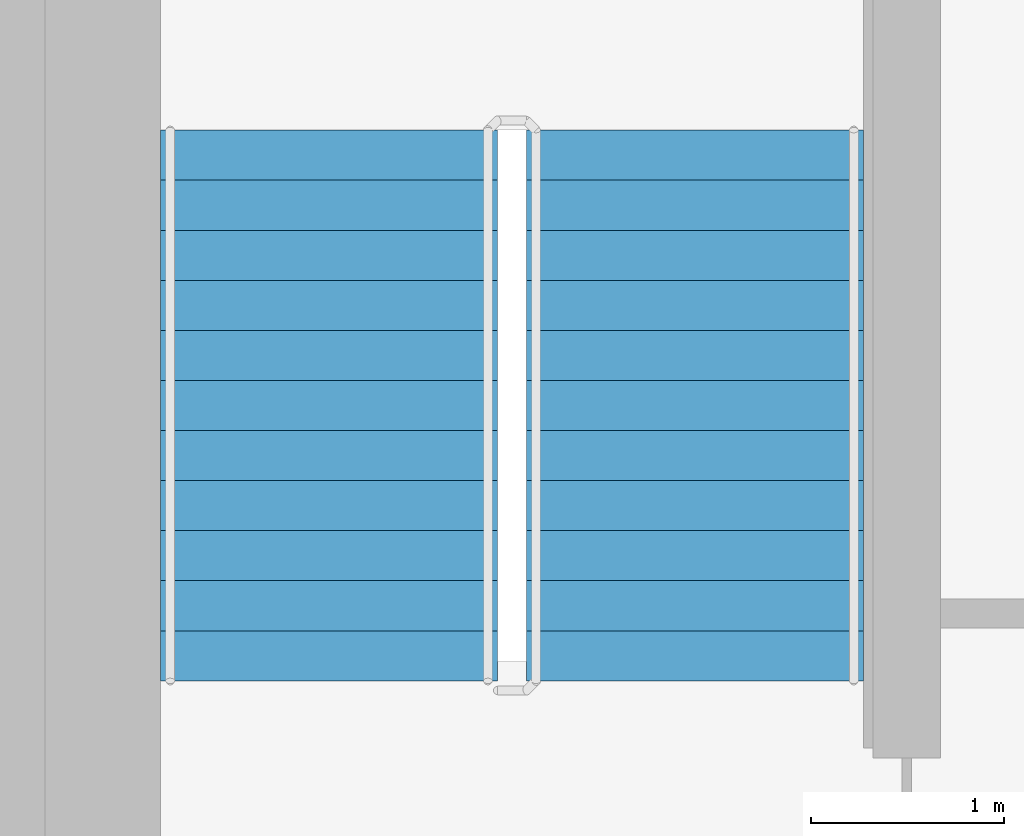
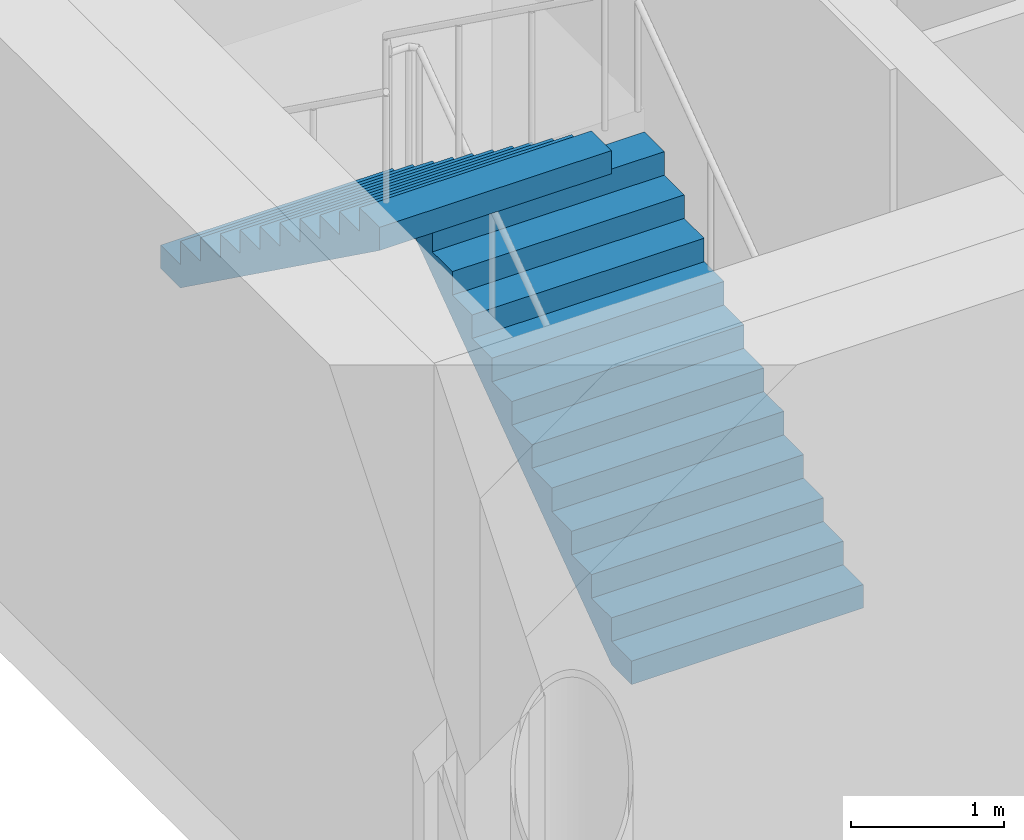
# One storey, part 10 of 11: 2 stair flights, 1 element without a shape of its own.
"""IFC4 building model written with IfcOpenShell, lengths in metres."""

import ifcopenshell
import ifcopenshell.guid

model = None  # the IFC model being written
_history = None  # IfcOwnerHistory: only IFC2X3 demands one
_inside = {}  # id of a spatial element -> (the spatial element, [elements in it])
_under = {}  # id of a project, library or spatial element -> (it, [spatial elements below it])
_declared = {}  # id of a project -> (the project, [libraries it declares])
_typed = {}  # id of a type object -> (the type object, [elements of that type])
_made_of = {}  # id of a material, layer set ... -> (it, [elements and type objects made of it])


def new_model(schema):
    """Start an empty IFC model of exactly this schema.

    Asked for "IFC4X3", IfcOpenShell would pick the latest addendum, in which some entities
    have other attributes; the version numbers below select the first issue.
    IFC2X3 requires an IfcOwnerHistory on every rooted entity: one is made here for all.
    """
    global model, _history
    if schema == "IFC4X3":
        model = ifcopenshell.file(schema_version=(4, 3, 0, 0))
    else:
        model = ifcopenshell.file(schema=schema)
    _inside.clear()
    _under.clear()
    _declared.clear()
    _typed.clear()
    _made_of.clear()
    _history = None
    if model.schema == "IFC2X3":
        org = make("IfcOrganization", Name="unknown")
        user = make(
            "IfcPersonAndOrganization",
            ThePerson=make("IfcPerson", FamilyName="unknown"),
            TheOrganization=org,
        )
        app = make(
            "IfcApplication",
            ApplicationDeveloper=org,
            Version="unknown",
            ApplicationFullName="unknown",
            ApplicationIdentifier="unknown",
        )
        _history = make(
            "IfcOwnerHistory",
            OwningUser=user,
            OwningApplication=app,
            ChangeAction="ADDED",
            CreationDate=0,
        )
    return model


def make(cls, **values):
    """One entity of the class cls with the attributes given. An attribute that is None is left unset."""
    return model.create_entity(
        cls, **{name: value for name, value in values.items() if value is not None}
    )


def rooted(cls, **values):
    """An entity with a GlobalId (a new one), such as an element, a storey or a relation."""
    return make(cls, GlobalId=ifcopenshell.guid.new(), OwnerHistory=_history, **values)


def si_unit(unit_type, name, prefix=None):
    """IfcSIUnit, for example si_unit("LENGTHUNIT", "METRE", prefix="MILLI")."""
    return make("IfcSIUnit", UnitType=unit_type, Prefix=prefix, Name=name)


def assignment(units):
    """IfcUnitAssignment: the units of a project."""
    return None if units is None else make("IfcUnitAssignment", Units=units)


def point(xyz):
    """IfcCartesianPoint."""
    return None if xyz is None else make("IfcCartesianPoint", Coordinates=xyz)


def direction(xyz):
    """IfcDirection."""
    return None if xyz is None else make("IfcDirection", DirectionRatios=xyz)


def frame(location, z_axis=None, x_axis=None):
    """IfcAxis2Placement3D, a coordinate frame: its origin and axes. An axis left out is left unset."""
    return make(
        "IfcAxis2Placement3D",
        Location=point(location),
        Axis=direction(z_axis),
        RefDirection=direction(x_axis),
    )


def origin():
    """The frame at (0, 0, 0) with its axes left unset."""
    return frame((0.0, 0.0, 0.0))


def place(relative_to, where):
    """IfcLocalPlacement: puts the frame where relative to a parent placement (None: the world)."""
    return make(
        "IfcLocalPlacement", PlacementRelTo=relative_to, RelativePlacement=where
    )


def context(
    kind, dimensions, precision=None, world=None, true_north=None, identifier=None
):
    """IfcGeometricRepresentationContext, for example the 3D "Model" context."""
    return make(
        "IfcGeometricRepresentationContext",
        ContextIdentifier=identifier,
        ContextType=kind,
        CoordinateSpaceDimension=dimensions,
        Precision=precision,
        WorldCoordinateSystem=world,
        TrueNorth=true_north,
    )


def subcontext(parent, identifier, kind, view, scale=None):
    """IfcGeometricRepresentationSubContext, for example "Body" below "Model"."""
    return make(
        "IfcGeometricRepresentationSubContext",
        ContextIdentifier=identifier,
        ContextType=kind,
        ParentContext=parent,
        TargetScale=scale,
        TargetView=view,
    )


def project(units=None, contexts=None):
    """IfcProject with its units and contexts."""
    return rooted(
        "IfcProject",
        Name="project",
        RepresentationContexts=contexts,
        UnitsInContext=assignment(units),
    )


def spatial(cls, under=None, at=None, **own):
    """A site, building, storey or space (cls), placed at a placement, below another one or the project."""
    s = rooted(cls, ObjectPlacement=at, **own)
    if under is not None:
        _under.setdefault(under.id(), (under, []))[1].append(s)
    return s


def faces_of(points, faces, orient=None, outer=None):
    """IfcFace entities. A face is a list of loops; a loop is a list of indices into points, from 0.

    orient and outer hold one flag for each loop. By default every Orientation is true, the
    first loop of a face is its IfcFaceOuterBound and the others are IfcFaceBound.
    """
    made = []
    for i, loops in enumerate(faces):
        bounds = []
        for j, loop in enumerate(loops):
            is_outer = j == 0 if outer is None else outer[i][j]
            bounds.append(
                make(
                    "IfcFaceOuterBound" if is_outer else "IfcFaceBound",
                    Bound=make("IfcPolyLoop", Polygon=[points[k] for k in loop]),
                    Orientation=True if orient is None else orient[i][j],
                )
            )
        made.append(make("IfcFace", Bounds=bounds))
    return made


def faceted_brep(points, faces, orient=None, outer=None, voids=None):
    """IfcFacetedBrep: a solid bounded by flat faces; with voids (closed shells), ...WithVoids."""
    shared = [point(p) for p in points]
    hull = make("IfcClosedShell", CfsFaces=faces_of(shared, faces, orient, outer))
    if voids is None:
        return make("IfcFacetedBrep", Outer=hull)
    return make(
        "IfcFacetedBrepWithVoids",
        Outer=hull,
        Voids=[
            make(cls, CfsFaces=faces_of(shared, fs, o, b)) for cls, fs, o, b in voids
        ],
    )


def shape(context_of_items, identifier, shape_type, items):
    """IfcShapeRepresentation: the items that make up one representation, for example the "Body"."""
    return make(
        "IfcShapeRepresentation",
        ContextOfItems=context_of_items,
        RepresentationIdentifier=identifier,
        RepresentationType=shape_type,
        Items=items,
    )


def material(Name=None, Category=None):
    """IfcMaterial."""
    return make("IfcMaterial", Name=Name, Category=Category)


def made_of(thing, what):
    """Note that an element or type object is made of a material, layer set ...; save() writes the relation."""
    if what is not None:
        _made_of.setdefault(what.id(), (what, []))[1].append(thing)
    return thing


def type_object(cls, material=None, **own):
    """A type object (cls), such as IfcWallType, which elements share."""
    return made_of(rooted(cls, **own), material)


def element(
    cls,
    number,
    at=None,
    inside=None,
    cuts=None,
    type_object=None,
    material=None,
    context=None,
    identifier="Body",
    shape_type=None,
    held_by="IfcProductDefinitionShape",
    body=None,
    shapes=None,
    **own,
):
    """One element of the class cls, such as IfcWall. Its Tag is "e" and its number.

    at: its placement. inside: the storey or other place that contains it. cuts: it is an
    opening in that element (IfcRelVoidsElement). A single representation is given by context,
    identifier, shape_type and body (its items); several are given by shapes. held_by: the class
    of the entity that holds the representations. save() writes the other relations.
    """
    e = rooted(cls, Tag="e%d" % number, ObjectPlacement=at, **own)
    if body is not None:
        shapes = [shape(context, identifier, shape_type, body)]
    if shapes is not None:
        e.Representation = make(held_by, Representations=shapes)
    if inside is not None:
        _inside.setdefault(inside.id(), (inside, []))[1].append(e)
    if cuts is not None:
        rooted(
            "IfcRelVoidsElement", RelatingBuildingElement=cuts, RelatedOpeningElement=e
        )
    if type_object is not None:
        _typed.setdefault(type_object.id(), (type_object, []))[1].append(e)
    return made_of(e, material)


def aggregate(whole, parts):
    """IfcRelAggregates: a whole, such as a stair, and the parts it consists of."""
    return rooted("IfcRelAggregates", RelatingObject=whole, RelatedObjects=parts)


def save(model, path):
    """Write the relations noted so far, then the file.

    IfcRelAggregates (storeys below a building ...), IfcRelContainedInSpatialStructure (elements
    in a storey), IfcRelDefinesByType, IfcRelAssociatesMaterial and IfcRelDeclares: one each for
    every whole, place, type object, material and project.
    """
    for whole, parts in _under.values():
        aggregate(whole, parts)
    for where, things in _inside.values():
        rooted(
            "IfcRelContainedInSpatialStructure",
            RelatedElements=things,
            RelatingStructure=where,
        )
    for kind, things in _typed.values():
        rooted("IfcRelDefinesByType", RelatedObjects=things, RelatingType=kind)
    for what, things in _made_of.values():
        rooted("IfcRelAssociatesMaterial", RelatedObjects=things, RelatingMaterial=what)
    for by, libraries in _declared.values():
        rooted("IfcRelDeclares", RelatingContext=by, RelatedDefinitions=libraries)
    model.write(path)


model = new_model("IFC4")

# Units and contexts
model_context = context("Model", 3, precision=1e-05, world=origin(), true_north=direction((0.0, 1.0)))
body_context = subcontext(model_context, "Body", "Model", "MODEL_VIEW")
ifc_project = project(units=[si_unit("LENGTHUNIT", "METRE"), si_unit("AREAUNIT", "SQUARE_METRE"), si_unit("VOLUMEUNIT", "CUBIC_METRE"), si_unit("PLANEANGLEUNIT", "RADIAN"), si_unit("MASSUNIT", "GRAM", prefix="KILO")], contexts=[model_context])

# Site, building, storey
site_placement = place(None, origin())
site = spatial("IfcSite", under=ifc_project, at=site_placement, CompositionType="ELEMENT")
building_placement = place(site_placement, origin())
building = spatial("IfcBuilding", under=site, at=building_placement, Name="Ipe Terrace Towers", CompositionType="ELEMENT")
storey_placement = place(building_placement, frame((0.0, 0.0, 251.39990234375)))
storey = spatial("IfcBuildingStorey", under=building, at=storey_placement, Name="L69", CompositionType="ELEMENT", Elevation=251.39990234375)

# Stair, stair flights
ifc_material_1 = material(Name="Concrete C30/37", Category="concrete")
stair_type = type_object("IfcStairType", Name="Protected exit stair", PredefinedType="HALF_TURN_STAIR", material=ifc_material_1)
stair_placement = place(storey_placement, origin())
stair = element("IfcStair", 1, at=stair_placement, inside=storey, type_object=stair_type, Name="L69 Exit stair T2-C1", PredefinedType="HALF_TURN_STAIR")
ifc_material_2 = material(Name="Concrete C30/37", Category="concrete")
stair_flight_type = type_object("IfcStairFlightType", Name="Exit stair flight 1750", PredefinedType="STRAIGHT", material=ifc_material_2)
stair_flight_1_placement = place(storey_placement, frame((33.22509765625, 9.699951171875, 0.0), z_axis=(0.0, 0.0, 1.0), x_axis=(0.0, 1.0, 0.0)))
stair_flight_1 = element("IfcStairFlight", 2, at=stair_flight_1_placement, type_object=stair_flight_type, Name="T2-ST1 flight 1", NumberOfRisers=12, NumberOfTreads=11, PredefinedType="STRAIGHT", RiserHeight=0.1875, TreadLength=0.26, context=body_context, shape_type="Brep", body=[
    faceted_brep([(0.25634765625, -0.875, 0.0), (2.860107421875, -0.875, 1.877685546875), (2.860107421875, -0.875, 2.0625), (2.60009765625, -0.875, 2.0625), (2.60009765625, -0.875, 1.875), (2.340087890625, -0.875, 1.875), (2.340087890625, -0.875, 1.6875), (2.080078125, -0.875, 1.6875), (2.080078125, -0.875, 1.5), (1.820068359375, -0.875, 1.5), (1.820068359375, -0.875, 1.3125), (1.56005859375, -0.875, 1.3125), (1.56005859375, -0.875, 1.125), (1.300048828125, -0.875, 1.125), (1.300048828125, -0.875, 0.9375), (1.0400390625, -0.875, 0.9375), (1.0400390625, -0.875, 0.75), (0.780029296875, -0.875, 0.75), (0.780029296875, -0.875, 0.5625), (0.52001953125, -0.875, 0.5625), (0.52001953125, -0.875, 0.375), (0.260009765625, -0.875, 0.375), (0.260009765625, -0.875, 0.1875), (0.0, -0.875, 0.1875), (0.0, -0.875, 0.0), (0.0, 0.875, 0.0), (0.0, 0.875, 0.1875), (0.260009765625, 0.875, 0.1875), (0.260009765625, 0.875, 0.375), (0.52001953125, 0.875, 0.375), (0.52001953125, 0.875, 0.5625), (0.780029296875, 0.875, 0.5625), (0.780029296875, 0.875, 0.75), (1.0400390625, 0.875, 0.75), (1.0400390625, 0.875, 0.9375), (1.300048828125, 0.875, 0.9375), (1.300048828125, 0.875, 1.125), (1.56005859375, 0.875, 1.125), (1.56005859375, 0.875, 1.3125), (1.820068359375, 0.875, 1.3125), (1.820068359375, 0.875, 1.5), (2.080078125, 0.875, 1.5), (2.080078125, 0.875, 1.6875), (2.340087890625, 0.875, 1.6875), (2.340087890625, 0.875, 1.875), (2.60009765625, 0.875, 1.875), (2.60009765625, 0.875, 2.0625), (2.860107421875, 0.875, 2.0625), (2.860107421875, 0.875, 1.877685546875), (0.25634765625, 0.875, 0.0), (0.0, -0.300048828125, 0.1875), (0.0, -0.1201171875, 0.1875), (0.0, -0.06005859375, 0.1875), (0.0, -0.030029296875, 0.1875), (0.0, -0.010009765625, 0.1875), (0.0, 0.0, 0.1875), (0.0, 0.010009765625, 0.1875), (0.0, 0.030029296875, 0.1875), (0.0, 0.06005859375, 0.1875), (0.0, 0.1201171875, 0.1875), (0.0, 0.300048828125, 0.1875), (0.0, 0.300048828125, 0.0), (0.0, 0.1201171875, 0.0), (0.0, 0.06005859375, 0.0), (0.0, 0.030029296875, 0.0), (0.0, 0.010009765625, 0.0), (0.0, 0.0, 0.0), (0.0, -0.010009765625, 0.0), (0.0, -0.030029296875, 0.0), (0.0, -0.06005859375, 0.0), (0.0, -0.1201171875, 0.0), (0.0, -0.300048828125, 0.0), (0.260009765625, -0.300048828125, 0.1875), (0.260009765625, -0.1201171875, 0.1875), (0.260009765625, -0.06005859375, 0.1875), (0.260009765625, -0.030029296875, 0.1875), (0.260009765625, -0.010009765625, 0.1875), (0.260009765625, 0.0, 0.1875), (0.260009765625, 0.010009765625, 0.1875), (0.260009765625, 0.030029296875, 0.1875), (0.260009765625, 0.06005859375, 0.1875), (0.260009765625, 0.1201171875, 0.1875), (0.260009765625, 0.300048828125, 0.1875), (0.260009765625, -0.300048828125, 0.375), (0.260009765625, -0.1201171875, 0.375), (0.260009765625, -0.06005859375, 0.375), (0.260009765625, -0.030029296875, 0.375), (0.260009765625, -0.010009765625, 0.375), (0.260009765625, 0.0, 0.375), (0.260009765625, 0.010009765625, 0.375), (0.260009765625, 0.030029296875, 0.375), (0.260009765625, 0.06005859375, 0.375), (0.260009765625, 0.1201171875, 0.375), (0.260009765625, 0.300048828125, 0.375), (0.52001953125, -0.300048828125, 0.375), (0.52001953125, -0.1201171875, 0.375), (0.52001953125, -0.06005859375, 0.375), (0.52001953125, -0.030029296875, 0.375), (0.52001953125, -0.010009765625, 0.375), (0.52001953125, 0.0, 0.375), (0.52001953125, 0.010009765625, 0.375), (0.52001953125, 0.030029296875, 0.375), (0.52001953125, 0.06005859375, 0.375), (0.52001953125, 0.1201171875, 0.375), (0.52001953125, 0.300048828125, 0.375), (0.52001953125, -0.300048828125, 0.5625), (0.52001953125, -0.1201171875, 0.5625), (0.52001953125, -0.06005859375, 0.5625), (0.52001953125, -0.030029296875, 0.5625), (0.52001953125, -0.010009765625, 0.5625), (0.52001953125, 0.0, 0.5625), (0.52001953125, 0.010009765625, 0.5625), (0.52001953125, 0.030029296875, 0.5625), (0.52001953125, 0.06005859375, 0.5625), (0.52001953125, 0.1201171875, 0.5625), (0.52001953125, 0.300048828125, 0.5625), (0.780029296875, -0.300048828125, 0.5625), (0.780029296875, -0.1201171875, 0.5625), (0.780029296875, -0.06005859375, 0.5625), (0.780029296875, -0.030029296875, 0.5625), (0.780029296875, -0.010009765625, 0.5625), (0.780029296875, 0.0, 0.5625), (0.780029296875, 0.010009765625, 0.5625), (0.780029296875, 0.030029296875, 0.5625), (0.780029296875, 0.06005859375, 0.5625), (0.780029296875, 0.1201171875, 0.5625), (0.780029296875, 0.300048828125, 0.5625), (0.780029296875, -0.300048828125, 0.75), (0.780029296875, -0.1201171875, 0.75), (0.780029296875, -0.06005859375, 0.75), (0.780029296875, -0.030029296875, 0.75), (0.780029296875, -0.010009765625, 0.75), (0.780029296875, 0.0, 0.75), (0.780029296875, 0.010009765625, 0.75), (0.780029296875, 0.030029296875, 0.75), (0.780029296875, 0.06005859375, 0.75), (0.780029296875, 0.1201171875, 0.75), (0.780029296875, 0.300048828125, 0.75), (1.0400390625, -0.300048828125, 0.75), (1.0400390625, -0.1201171875, 0.75), (1.0400390625, -0.06005859375, 0.75), (1.0400390625, -0.030029296875, 0.75), (1.0400390625, -0.010009765625, 0.75), (1.0400390625, 0.0, 0.75), (1.0400390625, 0.010009765625, 0.75), (1.0400390625, 0.030029296875, 0.75), (1.0400390625, 0.06005859375, 0.75), (1.0400390625, 0.1201171875, 0.75), (1.0400390625, 0.300048828125, 0.75), (1.0400390625, -0.300048828125, 0.9375), (1.0400390625, -0.1201171875, 0.9375), (1.0400390625, -0.06005859375, 0.9375), (1.0400390625, -0.030029296875, 0.9375), (1.0400390625, -0.010009765625, 0.9375), (1.0400390625, 0.0, 0.9375), (1.0400390625, 0.010009765625, 0.9375), (1.0400390625, 0.030029296875, 0.9375), (1.0400390625, 0.06005859375, 0.9375), (1.0400390625, 0.1201171875, 0.9375), (1.0400390625, 0.300048828125, 0.9375), (1.300048828125, -0.300048828125, 0.9375), (1.300048828125, -0.1201171875, 0.9375), (1.300048828125, -0.06005859375, 0.9375), (1.300048828125, -0.030029296875, 0.9375), (1.300048828125, -0.010009765625, 0.9375), (1.300048828125, 0.0, 0.9375), (1.300048828125, 0.010009765625, 0.9375), (1.300048828125, 0.030029296875, 0.9375), (1.300048828125, 0.06005859375, 0.9375), (1.300048828125, 0.1201171875, 0.9375), (1.300048828125, 0.300048828125, 0.9375), (1.300048828125, -0.300048828125, 1.125), (1.300048828125, -0.1201171875, 1.125), (1.300048828125, -0.06005859375, 1.125), (1.300048828125, -0.030029296875, 1.125), (1.300048828125, -0.010009765625, 1.125), (1.300048828125, 0.0, 1.125), (1.300048828125, 0.010009765625, 1.125), (1.300048828125, 0.030029296875, 1.125), (1.300048828125, 0.06005859375, 1.125), (1.300048828125, 0.1201171875, 1.125), (1.300048828125, 0.300048828125, 1.125), (1.56005859375, -0.300048828125, 1.125), (1.56005859375, -0.1201171875, 1.125), (1.56005859375, -0.06005859375, 1.125), (1.56005859375, -0.030029296875, 1.125), (1.56005859375, -0.010009765625, 1.125), (1.56005859375, 0.0, 1.125), (1.56005859375, 0.010009765625, 1.125), (1.56005859375, 0.030029296875, 1.125), (1.56005859375, 0.06005859375, 1.125), (1.56005859375, 0.1201171875, 1.125), (1.56005859375, 0.300048828125, 1.125), (1.56005859375, -0.300048828125, 1.3125), (1.56005859375, -0.1201171875, 1.3125), (1.56005859375, -0.06005859375, 1.3125), (1.56005859375, -0.030029296875, 1.3125), (1.56005859375, -0.010009765625, 1.3125), (1.56005859375, 0.0, 1.3125), (1.56005859375, 0.010009765625, 1.3125), (1.56005859375, 0.030029296875, 1.3125), (1.56005859375, 0.06005859375, 1.3125), (1.56005859375, 0.1201171875, 1.3125), (1.56005859375, 0.300048828125, 1.3125), (1.820068359375, -0.300048828125, 1.3125), (1.820068359375, -0.1201171875, 1.3125), (1.820068359375, -0.06005859375, 1.3125), (1.820068359375, -0.030029296875, 1.3125), (1.820068359375, -0.010009765625, 1.3125), (1.820068359375, 0.0, 1.3125), (1.820068359375, 0.010009765625, 1.3125), (1.820068359375, 0.030029296875, 1.3125), (1.820068359375, 0.06005859375, 1.3125), (1.820068359375, 0.1201171875, 1.3125), (1.820068359375, 0.300048828125, 1.3125), (1.820068359375, -0.300048828125, 1.5), (1.820068359375, -0.1201171875, 1.5), (1.820068359375, -0.06005859375, 1.5), (1.820068359375, -0.030029296875, 1.5), (1.820068359375, -0.010009765625, 1.5), (1.820068359375, 0.0, 1.5), (1.820068359375, 0.010009765625, 1.5), (1.820068359375, 0.030029296875, 1.5), (1.820068359375, 0.06005859375, 1.5), (1.820068359375, 0.1201171875, 1.5), (1.820068359375, 0.300048828125, 1.5), (2.080078125, -0.300048828125, 1.5), (2.080078125, -0.1201171875, 1.5), (2.080078125, -0.06005859375, 1.5), (2.080078125, -0.030029296875, 1.5), (2.080078125, -0.010009765625, 1.5), (2.080078125, 0.0, 1.5), (2.080078125, 0.010009765625, 1.5), (2.080078125, 0.030029296875, 1.5), (2.080078125, 0.06005859375, 1.5), (2.080078125, 0.1201171875, 1.5), (2.080078125, 0.300048828125, 1.5), (2.080078125, -0.300048828125, 1.6875), (2.080078125, -0.1201171875, 1.6875), (2.080078125, -0.06005859375, 1.6875), (2.080078125, -0.030029296875, 1.6875), (2.080078125, -0.010009765625, 1.6875), (2.080078125, 0.0, 1.6875), (2.080078125, 0.010009765625, 1.6875), (2.080078125, 0.030029296875, 1.6875), (2.080078125, 0.06005859375, 1.6875), (2.080078125, 0.1201171875, 1.6875), (2.080078125, 0.300048828125, 1.6875), (2.340087890625, -0.300048828125, 1.6875), (2.340087890625, -0.1201171875, 1.6875), (2.340087890625, -0.06005859375, 1.6875), (2.340087890625, -0.030029296875, 1.6875), (2.340087890625, -0.010009765625, 1.6875), (2.340087890625, 0.0, 1.6875), (2.340087890625, 0.010009765625, 1.6875), (2.340087890625, 0.030029296875, 1.6875), (2.340087890625, 0.06005859375, 1.6875), (2.340087890625, 0.1201171875, 1.6875), (2.340087890625, 0.300048828125, 1.6875), (2.340087890625, -0.300048828125, 1.875), (2.340087890625, -0.1201171875, 1.875), (2.340087890625, -0.06005859375, 1.875), (2.340087890625, -0.030029296875, 1.875), (2.340087890625, -0.010009765625, 1.875), (2.340087890625, 0.0, 1.875), (2.340087890625, 0.010009765625, 1.875), (2.340087890625, 0.030029296875, 1.875), (2.340087890625, 0.06005859375, 1.875), (2.340087890625, 0.1201171875, 1.875), (2.340087890625, 0.300048828125, 1.875), (2.60009765625, -0.300048828125, 1.875), (2.60009765625, -0.1201171875, 1.875), (2.60009765625, -0.06005859375, 1.875), (2.60009765625, -0.030029296875, 1.875), (2.60009765625, -0.010009765625, 1.875), (2.60009765625, 0.0, 1.875), (2.60009765625, 0.010009765625, 1.875), (2.60009765625, 0.030029296875, 1.875), (2.60009765625, 0.06005859375, 1.875), (2.60009765625, 0.1201171875, 1.875), (2.60009765625, 0.300048828125, 1.875), (2.60009765625, -0.300048828125, 2.0625), (2.60009765625, -0.1201171875, 2.0625), (2.60009765625, -0.06005859375, 2.0625), (2.60009765625, -0.030029296875, 2.0625), (2.60009765625, -0.010009765625, 2.0625), (2.60009765625, 0.0, 2.0625), (2.60009765625, 0.010009765625, 2.0625), (2.60009765625, 0.030029296875, 2.0625), (2.60009765625, 0.06005859375, 2.0625), (2.60009765625, 0.1201171875, 2.0625), (2.60009765625, 0.300048828125, 2.0625), (2.860107421875, -0.300048828125, 2.0625), (2.860107421875, -0.1201171875, 2.0625), (2.860107421875, -0.06005859375, 2.0625), (2.860107421875, -0.030029296875, 2.0625), (2.860107421875, -0.010009765625, 2.0625), (2.860107421875, 0.0, 2.0625), (2.860107421875, 0.010009765625, 2.0625), (2.860107421875, 0.030029296875, 2.0625), (2.860107421875, 0.06005859375, 2.0625), (2.860107421875, 0.1201171875, 2.0625), (2.860107421875, 0.300048828125, 2.0625), (2.860107421875, -0.300048828125, 1.877685546875), (2.860107421875, -0.1201171875, 1.877685546875), (2.860107421875, -0.06005859375, 1.877685546875), (2.860107421875, -0.030029296875, 1.877685546875), (2.860107421875, -0.010009765625, 1.877685546875), (2.860107421875, 0.0, 1.877685546875), (2.860107421875, 0.010009765625, 1.877685546875), (2.860107421875, 0.030029296875, 1.877685546875), (2.860107421875, 0.06005859375, 1.877685546875), (2.860107421875, 0.1201171875, 1.877685546875), (2.860107421875, 0.300048828125, 1.877685546875), (0.25634765625, -0.300048828125, 0.0), (0.25634765625, -0.1201171875, 0.0), (0.25634765625, -0.06005859375, 0.0), (0.25634765625, -0.030029296875, 0.0), (0.25634765625, -0.010009765625, 0.0), (0.25634765625, 0.0, 0.0), (0.25634765625, 0.010009765625, 0.0), (0.25634765625, 0.030029296875, 0.0), (0.25634765625, 0.06005859375, 0.0), (0.25634765625, 0.1201171875, 0.0), (0.25634765625, 0.300048828125, 0.0)], [[[0, 1, 2, 3, 4, 5, 6, 7, 8, 9, 10, 11, 12, 13, 14, 15, 16, 17, 18, 19, 20, 21, 22, 23, 24]], [[25, 26, 27, 28, 29, 30, 31, 32, 33, 34, 35, 36, 37, 38, 39, 40, 41, 42, 43, 44, 45, 46, 47, 48, 49]], [[23, 50, 51, 52, 53, 54, 55, 56, 57, 58, 59, 60, 26, 25, 61, 62, 63, 64, 65, 66, 67, 68, 69, 70, 71, 24]], [[22, 72, 73, 74, 75, 76, 77, 78, 79, 80, 81, 82, 27, 26, 60, 59, 58, 57, 56, 55, 54, 53, 52, 51, 50, 23]], [[21, 83, 84, 85, 86, 87, 88, 89, 90, 91, 92, 93, 28, 27, 82, 81, 80, 79, 78, 77, 76, 75, 74, 73, 72, 22]], [[20, 94, 95, 96, 97, 98, 99, 100, 101, 102, 103, 104, 29, 28, 93, 92, 91, 90, 89, 88, 87, 86, 85, 84, 83, 21]], [[19, 105, 106, 107, 108, 109, 110, 111, 112, 113, 114, 115, 30, 29, 104, 103, 102, 101, 100, 99, 98, 97, 96, 95, 94, 20]], [[18, 116, 117, 118, 119, 120, 121, 122, 123, 124, 125, 126, 31, 30, 115, 114, 113, 112, 111, 110, 109, 108, 107, 106, 105, 19]], [[17, 127, 128, 129, 130, 131, 132, 133, 134, 135, 136, 137, 32, 31, 126, 125, 124, 123, 122, 121, 120, 119, 118, 117, 116, 18]], [[16, 138, 139, 140, 141, 142, 143, 144, 145, 146, 147, 148, 33, 32, 137, 136, 135, 134, 133, 132, 131, 130, 129, 128, 127, 17]], [[15, 149, 150, 151, 152, 153, 154, 155, 156, 157, 158, 159, 34, 33, 148, 147, 146, 145, 144, 143, 142, 141, 140, 139, 138, 16]], [[14, 160, 161, 162, 163, 164, 165, 166, 167, 168, 169, 170, 35, 34, 159, 158, 157, 156, 155, 154, 153, 152, 151, 150, 149, 15]], [[13, 171, 172, 173, 174, 175, 176, 177, 178, 179, 180, 181, 36, 35, 170, 169, 168, 167, 166, 165, 164, 163, 162, 161, 160, 14]], [[12, 182, 183, 184, 185, 186, 187, 188, 189, 190, 191, 192, 37, 36, 181, 180, 179, 178, 177, 176, 175, 174, 173, 172, 171, 13]], [[11, 193, 194, 195, 196, 197, 198, 199, 200, 201, 202, 203, 38, 37, 192, 191, 190, 189, 188, 187, 186, 185, 184, 183, 182, 12]], [[10, 204, 205, 206, 207, 208, 209, 210, 211, 212, 213, 214, 39, 38, 203, 202, 201, 200, 199, 198, 197, 196, 195, 194, 193, 11]], [[9, 215, 216, 217, 218, 219, 220, 221, 222, 223, 224, 225, 40, 39, 214, 213, 212, 211, 210, 209, 208, 207, 206, 205, 204, 10]], [[8, 226, 227, 228, 229, 230, 231, 232, 233, 234, 235, 236, 41, 40, 225, 224, 223, 222, 221, 220, 219, 218, 217, 216, 215, 9]], [[7, 237, 238, 239, 240, 241, 242, 243, 244, 245, 246, 247, 42, 41, 236, 235, 234, 233, 232, 231, 230, 229, 228, 227, 226, 8]], [[6, 248, 249, 250, 251, 252, 253, 254, 255, 256, 257, 258, 43, 42, 247, 246, 245, 244, 243, 242, 241, 240, 239, 238, 237, 7]], [[5, 259, 260, 261, 262, 263, 264, 265, 266, 267, 268, 269, 44, 43, 258, 257, 256, 255, 254, 253, 252, 251, 250, 249, 248, 6]], [[4, 270, 271, 272, 273, 274, 275, 276, 277, 278, 279, 280, 45, 44, 269, 268, 267, 266, 265, 264, 263, 262, 261, 260, 259, 5]], [[3, 281, 282, 283, 284, 285, 286, 287, 288, 289, 290, 291, 46, 45, 280, 279, 278, 277, 276, 275, 274, 273, 272, 271, 270, 4]], [[2, 292, 293, 294, 295, 296, 297, 298, 299, 300, 301, 302, 47, 46, 291, 290, 289, 288, 287, 286, 285, 284, 283, 282, 281, 3]], [[1, 303, 304, 305, 306, 307, 308, 309, 310, 311, 312, 313, 48, 47, 302, 301, 300, 299, 298, 297, 296, 295, 294, 293, 292, 2]], [[0, 314, 315, 316, 317, 318, 319, 320, 321, 322, 323, 324, 49, 48, 313, 312, 311, 310, 309, 308, 307, 306, 305, 304, 303, 1]], [[24, 71, 70, 69, 68, 67, 66, 65, 64, 63, 62, 61, 25, 49, 324, 323, 322, 321, 320, 319, 318, 317, 316, 315, 314, 0]]]),
])
stair_flight_2_placement = place(storey_placement, frame((31.324951171875, 12.56005859375, 2.25), z_axis=(0.0, 0.0, 1.0), x_axis=(0.0, -1.0, 0.0)))
stair_flight_2 = element("IfcStairFlight", 3, at=stair_flight_2_placement, type_object=stair_flight_type, Name="T2-ST1 flight 2", NumberOfRisers=12, NumberOfTreads=11, PredefinedType="STRAIGHT", RiserHeight=0.1875, TreadLength=0.26, context=body_context, shape_type="Brep", body=[
    faceted_brep([(0.25634765625, -0.875, 0.0), (2.860107421875, -0.875, 1.877685546875), (2.860107421875, -0.875, 2.0625), (2.60009765625, -0.875, 2.0625), (2.60009765625, -0.875, 1.875), (2.340087890625, -0.875, 1.875), (2.340087890625, -0.875, 1.6875), (2.080078125, -0.875, 1.6875), (2.080078125, -0.875, 1.5), (1.820068359375, -0.875, 1.5), (1.820068359375, -0.875, 1.3125), (1.56005859375, -0.875, 1.3125), (1.56005859375, -0.875, 1.125), (1.300048828125, -0.875, 1.125), (1.300048828125, -0.875, 0.9375), (1.0400390625, -0.875, 0.9375), (1.0400390625, -0.875, 0.75), (0.780029296875, -0.875, 0.75), (0.780029296875, -0.875, 0.5625), (0.52001953125, -0.875, 0.5625), (0.52001953125, -0.875, 0.375), (0.260009765625, -0.875, 0.375), (0.260009765625, -0.875, 0.1875), (0.0, -0.875, 0.1875), (0.0, -0.875, 0.0), (0.0, 0.875, 0.0), (0.0, 0.875, 0.1875), (0.260009765625, 0.875, 0.1875), (0.260009765625, 0.875, 0.375), (0.52001953125, 0.875, 0.375), (0.52001953125, 0.875, 0.5625), (0.780029296875, 0.875, 0.5625), (0.780029296875, 0.875, 0.75), (1.0400390625, 0.875, 0.75), (1.0400390625, 0.875, 0.9375), (1.300048828125, 0.875, 0.9375), (1.300048828125, 0.875, 1.125), (1.56005859375, 0.875, 1.125), (1.56005859375, 0.875, 1.3125), (1.820068359375, 0.875, 1.3125), (1.820068359375, 0.875, 1.5), (2.080078125, 0.875, 1.5), (2.080078125, 0.875, 1.6875), (2.340087890625, 0.875, 1.6875), (2.340087890625, 0.875, 1.875), (2.60009765625, 0.875, 1.875), (2.60009765625, 0.875, 2.0625), (2.860107421875, 0.875, 2.0625), (2.860107421875, 0.875, 1.877685546875), (0.25634765625, 0.875, 0.0), (0.0, -0.300048828125, 0.1875), (0.0, -0.1201171875, 0.1875), (0.0, -0.06005859375, 0.1875), (0.0, -0.030029296875, 0.1875), (0.0, -0.010009765625, 0.1875), (0.0, 0.0, 0.1875), (0.0, 0.010009765625, 0.1875), (0.0, 0.030029296875, 0.1875), (0.0, 0.06005859375, 0.1875), (0.0, 0.1201171875, 0.1875), (0.0, 0.300048828125, 0.1875), (0.0, 0.300048828125, 0.0), (0.0, 0.1201171875, 0.0), (0.0, 0.06005859375, 0.0), (0.0, 0.030029296875, 0.0), (0.0, 0.010009765625, 0.0), (0.0, 0.0, 0.0), (0.0, -0.010009765625, 0.0), (0.0, -0.030029296875, 0.0), (0.0, -0.06005859375, 0.0), (0.0, -0.1201171875, 0.0), (0.0, -0.300048828125, 0.0), (0.260009765625, -0.300048828125, 0.1875), (0.260009765625, -0.1201171875, 0.1875), (0.260009765625, -0.06005859375, 0.1875), (0.260009765625, -0.030029296875, 0.1875), (0.260009765625, -0.010009765625, 0.1875), (0.260009765625, 0.0, 0.1875), (0.260009765625, 0.010009765625, 0.1875), (0.260009765625, 0.030029296875, 0.1875), (0.260009765625, 0.06005859375, 0.1875), (0.260009765625, 0.1201171875, 0.1875), (0.260009765625, 0.300048828125, 0.1875), (0.260009765625, -0.300048828125, 0.375), (0.260009765625, -0.1201171875, 0.375), (0.260009765625, -0.06005859375, 0.375), (0.260009765625, -0.030029296875, 0.375), (0.260009765625, -0.010009765625, 0.375), (0.260009765625, 0.0, 0.375), (0.260009765625, 0.010009765625, 0.375), (0.260009765625, 0.030029296875, 0.375), (0.260009765625, 0.06005859375, 0.375), (0.260009765625, 0.1201171875, 0.375), (0.260009765625, 0.300048828125, 0.375), (0.52001953125, -0.300048828125, 0.375), (0.52001953125, -0.1201171875, 0.375), (0.52001953125, -0.06005859375, 0.375), (0.52001953125, -0.030029296875, 0.375), (0.52001953125, -0.010009765625, 0.375), (0.52001953125, 0.0, 0.375), (0.52001953125, 0.010009765625, 0.375), (0.52001953125, 0.030029296875, 0.375), (0.52001953125, 0.06005859375, 0.375), (0.52001953125, 0.1201171875, 0.375), (0.52001953125, 0.300048828125, 0.375), (0.52001953125, -0.300048828125, 0.5625), (0.52001953125, -0.1201171875, 0.5625), (0.52001953125, -0.06005859375, 0.5625), (0.52001953125, -0.030029296875, 0.5625), (0.52001953125, -0.010009765625, 0.5625), (0.52001953125, 0.0, 0.5625), (0.52001953125, 0.010009765625, 0.5625), (0.52001953125, 0.030029296875, 0.5625), (0.52001953125, 0.06005859375, 0.5625), (0.52001953125, 0.1201171875, 0.5625), (0.52001953125, 0.300048828125, 0.5625), (0.780029296875, -0.300048828125, 0.5625), (0.780029296875, -0.1201171875, 0.5625), (0.780029296875, -0.06005859375, 0.5625), (0.780029296875, -0.030029296875, 0.5625), (0.780029296875, -0.010009765625, 0.5625), (0.780029296875, 0.0, 0.5625), (0.780029296875, 0.010009765625, 0.5625), (0.780029296875, 0.030029296875, 0.5625), (0.780029296875, 0.06005859375, 0.5625), (0.780029296875, 0.1201171875, 0.5625), (0.780029296875, 0.300048828125, 0.5625), (0.780029296875, -0.300048828125, 0.75), (0.780029296875, -0.1201171875, 0.75), (0.780029296875, -0.06005859375, 0.75), (0.780029296875, -0.030029296875, 0.75), (0.780029296875, -0.010009765625, 0.75), (0.780029296875, 0.0, 0.75), (0.780029296875, 0.010009765625, 0.75), (0.780029296875, 0.030029296875, 0.75), (0.780029296875, 0.06005859375, 0.75), (0.780029296875, 0.1201171875, 0.75), (0.780029296875, 0.300048828125, 0.75), (1.0400390625, -0.300048828125, 0.75), (1.0400390625, -0.1201171875, 0.75), (1.0400390625, -0.06005859375, 0.75), (1.0400390625, -0.030029296875, 0.75), (1.0400390625, -0.010009765625, 0.75), (1.0400390625, 0.0, 0.75), (1.0400390625, 0.010009765625, 0.75), (1.0400390625, 0.030029296875, 0.75), (1.0400390625, 0.06005859375, 0.75), (1.0400390625, 0.1201171875, 0.75), (1.0400390625, 0.300048828125, 0.75), (1.0400390625, -0.300048828125, 0.9375), (1.0400390625, -0.1201171875, 0.9375), (1.0400390625, -0.06005859375, 0.9375), (1.0400390625, -0.030029296875, 0.9375), (1.0400390625, -0.010009765625, 0.9375), (1.0400390625, 0.0, 0.9375), (1.0400390625, 0.010009765625, 0.9375), (1.0400390625, 0.030029296875, 0.9375), (1.0400390625, 0.06005859375, 0.9375), (1.0400390625, 0.1201171875, 0.9375), (1.0400390625, 0.300048828125, 0.9375), (1.300048828125, -0.300048828125, 0.9375), (1.300048828125, -0.1201171875, 0.9375), (1.300048828125, -0.06005859375, 0.9375), (1.300048828125, -0.030029296875, 0.9375), (1.300048828125, -0.010009765625, 0.9375), (1.300048828125, 0.0, 0.9375), (1.300048828125, 0.010009765625, 0.9375), (1.300048828125, 0.030029296875, 0.9375), (1.300048828125, 0.06005859375, 0.9375), (1.300048828125, 0.1201171875, 0.9375), (1.300048828125, 0.300048828125, 0.9375), (1.300048828125, -0.300048828125, 1.125), (1.300048828125, -0.1201171875, 1.125), (1.300048828125, -0.06005859375, 1.125), (1.300048828125, -0.030029296875, 1.125), (1.300048828125, -0.010009765625, 1.125), (1.300048828125, 0.0, 1.125), (1.300048828125, 0.010009765625, 1.125), (1.300048828125, 0.030029296875, 1.125), (1.300048828125, 0.06005859375, 1.125), (1.300048828125, 0.1201171875, 1.125), (1.300048828125, 0.300048828125, 1.125), (1.56005859375, -0.300048828125, 1.125), (1.56005859375, -0.1201171875, 1.125), (1.56005859375, -0.06005859375, 1.125), (1.56005859375, -0.030029296875, 1.125), (1.56005859375, -0.010009765625, 1.125), (1.56005859375, 0.0, 1.125), (1.56005859375, 0.010009765625, 1.125), (1.56005859375, 0.030029296875, 1.125), (1.56005859375, 0.06005859375, 1.125), (1.56005859375, 0.1201171875, 1.125), (1.56005859375, 0.300048828125, 1.125), (1.56005859375, -0.300048828125, 1.3125), (1.56005859375, -0.1201171875, 1.3125), (1.56005859375, -0.06005859375, 1.3125), (1.56005859375, -0.030029296875, 1.3125), (1.56005859375, -0.010009765625, 1.3125), (1.56005859375, 0.0, 1.3125), (1.56005859375, 0.010009765625, 1.3125), (1.56005859375, 0.030029296875, 1.3125), (1.56005859375, 0.06005859375, 1.3125), (1.56005859375, 0.1201171875, 1.3125), (1.56005859375, 0.300048828125, 1.3125), (1.820068359375, -0.300048828125, 1.3125), (1.820068359375, -0.1201171875, 1.3125), (1.820068359375, -0.06005859375, 1.3125), (1.820068359375, -0.030029296875, 1.3125), (1.820068359375, -0.010009765625, 1.3125), (1.820068359375, 0.0, 1.3125), (1.820068359375, 0.010009765625, 1.3125), (1.820068359375, 0.030029296875, 1.3125), (1.820068359375, 0.06005859375, 1.3125), (1.820068359375, 0.1201171875, 1.3125), (1.820068359375, 0.300048828125, 1.3125), (1.820068359375, -0.300048828125, 1.5), (1.820068359375, -0.1201171875, 1.5), (1.820068359375, -0.06005859375, 1.5), (1.820068359375, -0.030029296875, 1.5), (1.820068359375, -0.010009765625, 1.5), (1.820068359375, 0.0, 1.5), (1.820068359375, 0.010009765625, 1.5), (1.820068359375, 0.030029296875, 1.5), (1.820068359375, 0.06005859375, 1.5), (1.820068359375, 0.1201171875, 1.5), (1.820068359375, 0.300048828125, 1.5), (2.080078125, -0.300048828125, 1.5), (2.080078125, -0.1201171875, 1.5), (2.080078125, -0.06005859375, 1.5), (2.080078125, -0.030029296875, 1.5), (2.080078125, -0.010009765625, 1.5), (2.080078125, 0.0, 1.5), (2.080078125, 0.010009765625, 1.5), (2.080078125, 0.030029296875, 1.5), (2.080078125, 0.06005859375, 1.5), (2.080078125, 0.1201171875, 1.5), (2.080078125, 0.300048828125, 1.5), (2.080078125, -0.300048828125, 1.6875), (2.080078125, -0.1201171875, 1.6875), (2.080078125, -0.06005859375, 1.6875), (2.080078125, -0.030029296875, 1.6875), (2.080078125, -0.010009765625, 1.6875), (2.080078125, 0.0, 1.6875), (2.080078125, 0.010009765625, 1.6875), (2.080078125, 0.030029296875, 1.6875), (2.080078125, 0.06005859375, 1.6875), (2.080078125, 0.1201171875, 1.6875), (2.080078125, 0.300048828125, 1.6875), (2.340087890625, -0.300048828125, 1.6875), (2.340087890625, -0.1201171875, 1.6875), (2.340087890625, -0.06005859375, 1.6875), (2.340087890625, -0.030029296875, 1.6875), (2.340087890625, -0.010009765625, 1.6875), (2.340087890625, 0.0, 1.6875), (2.340087890625, 0.010009765625, 1.6875), (2.340087890625, 0.030029296875, 1.6875), (2.340087890625, 0.06005859375, 1.6875), (2.340087890625, 0.1201171875, 1.6875), (2.340087890625, 0.300048828125, 1.6875), (2.340087890625, -0.300048828125, 1.875), (2.340087890625, -0.1201171875, 1.875), (2.340087890625, -0.06005859375, 1.875), (2.340087890625, -0.030029296875, 1.875), (2.340087890625, -0.010009765625, 1.875), (2.340087890625, 0.0, 1.875), (2.340087890625, 0.010009765625, 1.875), (2.340087890625, 0.030029296875, 1.875), (2.340087890625, 0.06005859375, 1.875), (2.340087890625, 0.1201171875, 1.875), (2.340087890625, 0.300048828125, 1.875), (2.60009765625, -0.300048828125, 1.875), (2.60009765625, -0.1201171875, 1.875), (2.60009765625, -0.06005859375, 1.875), (2.60009765625, -0.030029296875, 1.875), (2.60009765625, -0.010009765625, 1.875), (2.60009765625, 0.0, 1.875), (2.60009765625, 0.010009765625, 1.875), (2.60009765625, 0.030029296875, 1.875), (2.60009765625, 0.06005859375, 1.875), (2.60009765625, 0.1201171875, 1.875), (2.60009765625, 0.300048828125, 1.875), (2.60009765625, -0.300048828125, 2.0625), (2.60009765625, -0.1201171875, 2.0625), (2.60009765625, -0.06005859375, 2.0625), (2.60009765625, -0.030029296875, 2.0625), (2.60009765625, -0.010009765625, 2.0625), (2.60009765625, 0.0, 2.0625), (2.60009765625, 0.010009765625, 2.0625), (2.60009765625, 0.030029296875, 2.0625), (2.60009765625, 0.06005859375, 2.0625), (2.60009765625, 0.1201171875, 2.0625), (2.60009765625, 0.300048828125, 2.0625), (2.860107421875, -0.300048828125, 2.0625), (2.860107421875, -0.1201171875, 2.0625), (2.860107421875, -0.06005859375, 2.0625), (2.860107421875, -0.030029296875, 2.0625), (2.860107421875, -0.010009765625, 2.0625), (2.860107421875, 0.0, 2.0625), (2.860107421875, 0.010009765625, 2.0625), (2.860107421875, 0.030029296875, 2.0625), (2.860107421875, 0.06005859375, 2.0625), (2.860107421875, 0.1201171875, 2.0625), (2.860107421875, 0.300048828125, 2.0625), (2.860107421875, -0.300048828125, 1.877685546875), (2.860107421875, -0.1201171875, 1.877685546875), (2.860107421875, -0.06005859375, 1.877685546875), (2.860107421875, -0.030029296875, 1.877685546875), (2.860107421875, -0.010009765625, 1.877685546875), (2.860107421875, 0.0, 1.877685546875), (2.860107421875, 0.010009765625, 1.877685546875), (2.860107421875, 0.030029296875, 1.877685546875), (2.860107421875, 0.06005859375, 1.877685546875), (2.860107421875, 0.1201171875, 1.877685546875), (2.860107421875, 0.300048828125, 1.877685546875), (0.25634765625, -0.300048828125, 0.0), (0.25634765625, -0.1201171875, 0.0), (0.25634765625, -0.06005859375, 0.0), (0.25634765625, -0.030029296875, 0.0), (0.25634765625, -0.010009765625, 0.0), (0.25634765625, 0.0, 0.0), (0.25634765625, 0.010009765625, 0.0), (0.25634765625, 0.030029296875, 0.0), (0.25634765625, 0.06005859375, 0.0), (0.25634765625, 0.1201171875, 0.0), (0.25634765625, 0.300048828125, 0.0)], [[[0, 1, 2, 3, 4, 5, 6, 7, 8, 9, 10, 11, 12, 13, 14, 15, 16, 17, 18, 19, 20, 21, 22, 23, 24]], [[25, 26, 27, 28, 29, 30, 31, 32, 33, 34, 35, 36, 37, 38, 39, 40, 41, 42, 43, 44, 45, 46, 47, 48, 49]], [[23, 50, 51, 52, 53, 54, 55, 56, 57, 58, 59, 60, 26, 25, 61, 62, 63, 64, 65, 66, 67, 68, 69, 70, 71, 24]], [[22, 72, 73, 74, 75, 76, 77, 78, 79, 80, 81, 82, 27, 26, 60, 59, 58, 57, 56, 55, 54, 53, 52, 51, 50, 23]], [[21, 83, 84, 85, 86, 87, 88, 89, 90, 91, 92, 93, 28, 27, 82, 81, 80, 79, 78, 77, 76, 75, 74, 73, 72, 22]], [[20, 94, 95, 96, 97, 98, 99, 100, 101, 102, 103, 104, 29, 28, 93, 92, 91, 90, 89, 88, 87, 86, 85, 84, 83, 21]], [[19, 105, 106, 107, 108, 109, 110, 111, 112, 113, 114, 115, 30, 29, 104, 103, 102, 101, 100, 99, 98, 97, 96, 95, 94, 20]], [[18, 116, 117, 118, 119, 120, 121, 122, 123, 124, 125, 126, 31, 30, 115, 114, 113, 112, 111, 110, 109, 108, 107, 106, 105, 19]], [[17, 127, 128, 129, 130, 131, 132, 133, 134, 135, 136, 137, 32, 31, 126, 125, 124, 123, 122, 121, 120, 119, 118, 117, 116, 18]], [[16, 138, 139, 140, 141, 142, 143, 144, 145, 146, 147, 148, 33, 32, 137, 136, 135, 134, 133, 132, 131, 130, 129, 128, 127, 17]], [[15, 149, 150, 151, 152, 153, 154, 155, 156, 157, 158, 159, 34, 33, 148, 147, 146, 145, 144, 143, 142, 141, 140, 139, 138, 16]], [[14, 160, 161, 162, 163, 164, 165, 166, 167, 168, 169, 170, 35, 34, 159, 158, 157, 156, 155, 154, 153, 152, 151, 150, 149, 15]], [[13, 171, 172, 173, 174, 175, 176, 177, 178, 179, 180, 181, 36, 35, 170, 169, 168, 167, 166, 165, 164, 163, 162, 161, 160, 14]], [[12, 182, 183, 184, 185, 186, 187, 188, 189, 190, 191, 192, 37, 36, 181, 180, 179, 178, 177, 176, 175, 174, 173, 172, 171, 13]], [[11, 193, 194, 195, 196, 197, 198, 199, 200, 201, 202, 203, 38, 37, 192, 191, 190, 189, 188, 187, 186, 185, 184, 183, 182, 12]], [[10, 204, 205, 206, 207, 208, 209, 210, 211, 212, 213, 214, 39, 38, 203, 202, 201, 200, 199, 198, 197, 196, 195, 194, 193, 11]], [[9, 215, 216, 217, 218, 219, 220, 221, 222, 223, 224, 225, 40, 39, 214, 213, 212, 211, 210, 209, 208, 207, 206, 205, 204, 10]], [[8, 226, 227, 228, 229, 230, 231, 232, 233, 234, 235, 236, 41, 40, 225, 224, 223, 222, 221, 220, 219, 218, 217, 216, 215, 9]], [[7, 237, 238, 239, 240, 241, 242, 243, 244, 245, 246, 247, 42, 41, 236, 235, 234, 233, 232, 231, 230, 229, 228, 227, 226, 8]], [[6, 248, 249, 250, 251, 252, 253, 254, 255, 256, 257, 258, 43, 42, 247, 246, 245, 244, 243, 242, 241, 240, 239, 238, 237, 7]], [[5, 259, 260, 261, 262, 263, 264, 265, 266, 267, 268, 269, 44, 43, 258, 257, 256, 255, 254, 253, 252, 251, 250, 249, 248, 6]], [[4, 270, 271, 272, 273, 274, 275, 276, 277, 278, 279, 280, 45, 44, 269, 268, 267, 266, 265, 264, 263, 262, 261, 260, 259, 5]], [[3, 281, 282, 283, 284, 285, 286, 287, 288, 289, 290, 291, 46, 45, 280, 279, 278, 277, 276, 275, 274, 273, 272, 271, 270, 4]], [[2, 292, 293, 294, 295, 296, 297, 298, 299, 300, 301, 302, 47, 46, 291, 290, 289, 288, 287, 286, 285, 284, 283, 282, 281, 3]], [[1, 303, 304, 305, 306, 307, 308, 309, 310, 311, 312, 313, 48, 47, 302, 301, 300, 299, 298, 297, 296, 295, 294, 293, 292, 2]], [[0, 314, 315, 316, 317, 318, 319, 320, 321, 322, 323, 324, 49, 48, 313, 312, 311, 310, 309, 308, 307, 306, 305, 304, 303, 1]], [[24, 71, 70, 69, 68, 67, 66, 65, 64, 63, 62, 61, 25, 49, 324, 323, 322, 321, 320, 319, 318, 317, 316, 315, 314, 0]]]),
])
aggregate(stair, [stair_flight_1, stair_flight_2])

save(model, "model.ifc")
